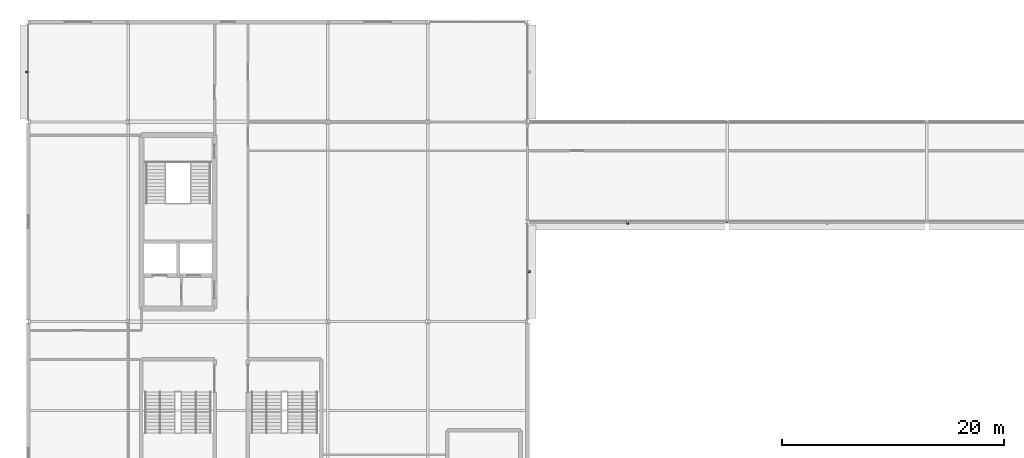
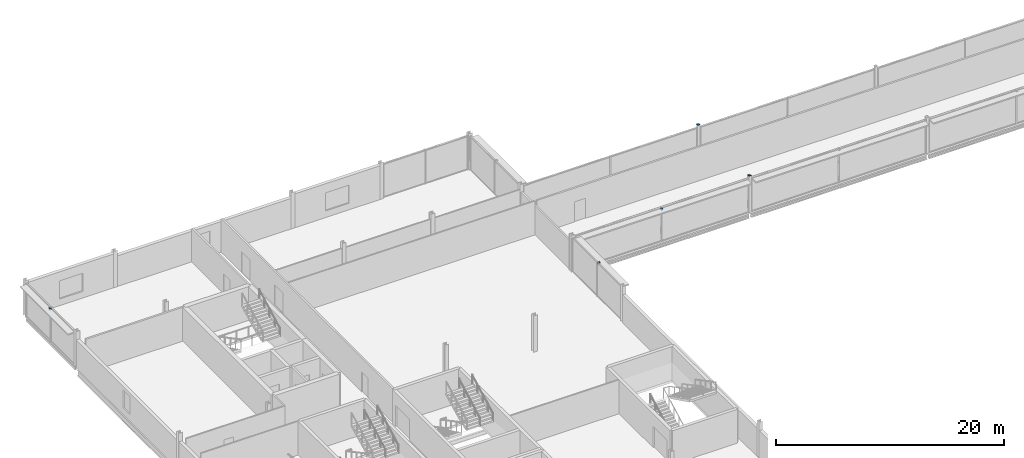
# One storey, part 73 of 98: 5 discrete accessories.
"""IFC4 building model written with IfcOpenShell, lengths in metres."""

from ifc_helpers import new_model, si_unit, direction, frame, origin, origin_2d, place, context, subcontext, project, spatial, polyline, rectangle, outline, extrude, material, layer, layer_set, type_object, element, save


model = new_model("IFC4")

# Units and contexts
model_context = context("Model", 3, precision=1e-05, world=origin(), true_north=direction((0.0, 1.0)))
body_context = subcontext(model_context, "Body", "Model", "MODEL_VIEW")
ifc_project = project(units=[si_unit("LENGTHUNIT", "METRE"), si_unit("AREAUNIT", "SQUARE_METRE"), si_unit("VOLUMEUNIT", "CUBIC_METRE"), si_unit("PLANEANGLEUNIT", "RADIAN"), si_unit("MASSUNIT", "GRAM", prefix="KILO")], contexts=[model_context])

# Site, building, storey
site_placement = place(None, origin())
site = spatial("IfcSite", under=ifc_project, at=site_placement, CompositionType="ELEMENT")
building_placement = place(site_placement, origin())
building = spatial("IfcBuilding", under=site, at=building_placement, Name="Kisiwana Market Hall", CompositionType="ELEMENT")
storey_placement = place(building_placement, frame((0.0, 0.0, 29.39990234375)))
storey = spatial("IfcBuildingStorey", under=building, at=storey_placement, Name="L06", CompositionType="ELEMENT", Elevation=29.39990234375)

# Discrete accessories
ifc_material_1 = material(Name="Steel S355", Category="steel")
discrete_accessory_type_1 = type_object("IfcDiscreteAccessoryType", Name="ACC-BRACKET-STL", PredefinedType="BRACKET", material=ifc_material_1)
for number, where, z_axis, x_axis, name in (
    (1, (54.030029296875, 92.889892578125, 3.41015625), (0.0, 0.0, 1.0), (1.0, 0.0, 0.0), "Sunshade steel bracket BRK-110"),
    (2, (-0.110107421875, 106.5, 3.41015625), (0.0, 0.0, 1.0), (0.0, 1.0, 0.0), "Sunshade steel bracket BRK-116"),
    (3, (45.110107421875, 88.5, 3.41015625), (0.0, 0.0, 1.0), (0.0, 1.0, 0.0), "Sunshade steel bracket BRK-119"),
):
    element("IfcDiscreteAccessory", number, at=place(storey_placement, frame(where, z_axis=z_axis, x_axis=x_axis)), inside=storey, type_object=discrete_accessory_type_1, Name=name, PredefinedType="BRACKET", context=body_context, shape_type="SweptSolid", body=[
        extrude(rectangle(XDim=0.179931640625, YDim=0.239990234375, at=origin_2d()), origin(), (0.0, 0.0, 1.0), 0.179931640625),
    ])
ifc_material_2 = material(Name="Steel S355", Category="steel")
ifc_layer = layer(ifc_material_2, 0.011962890625)
ifc_layer_set = layer_set([ifc_layer], Name="ACC-ENDCAP-STL")
discrete_accessory_type_2 = type_object("IfcDiscreteAccessoryType", Name="ACC-ENDCAP-STL", PredefinedType="USERDEFINED", material=ifc_layer_set)
discrete_accessory_1_placement = place(storey_placement, frame((0.0, 0.0, 3.900146484375)))
element("IfcDiscreteAccessory", 4, at=discrete_accessory_1_placement, inside=storey, type_object=discrete_accessory_type_2, Name="End cap plate EC-0005", ObjectType="End cap plate", PredefinedType="USERDEFINED", context=body_context, shape_type="SweptSolid", body=[
    extrude(outline(polyline([(62.875, 92.875), (63.125, 92.875), (63.125, 93.125), (62.875, 93.125), (62.875, 92.875)])), origin(), (0.0, 0.0, 1.0), 0.011962890625),
])
discrete_accessory_2_placement = place(storey_placement, frame((0.0, 0.0, 3.900146484375)))
element("IfcDiscreteAccessory", 5, at=discrete_accessory_2_placement, inside=storey, type_object=discrete_accessory_type_2, Name="End cap plate EC-0006", ObjectType="End cap plate", PredefinedType="USERDEFINED", context=body_context, shape_type="SweptSolid", body=[
    extrude(outline(polyline([(62.875, 101.875), (63.125, 101.875), (63.125, 102.125), (62.875, 102.125), (62.875, 101.875)])), origin(), (0.0, 0.0, 1.0), 0.011962890625),
])

save(model, "model.ifc")
